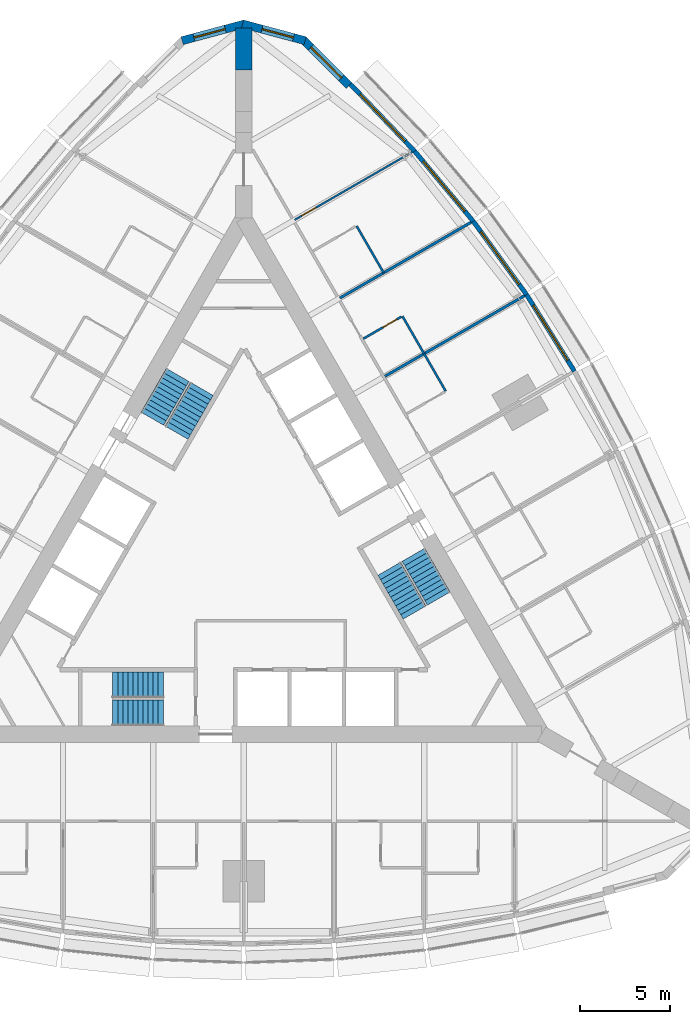
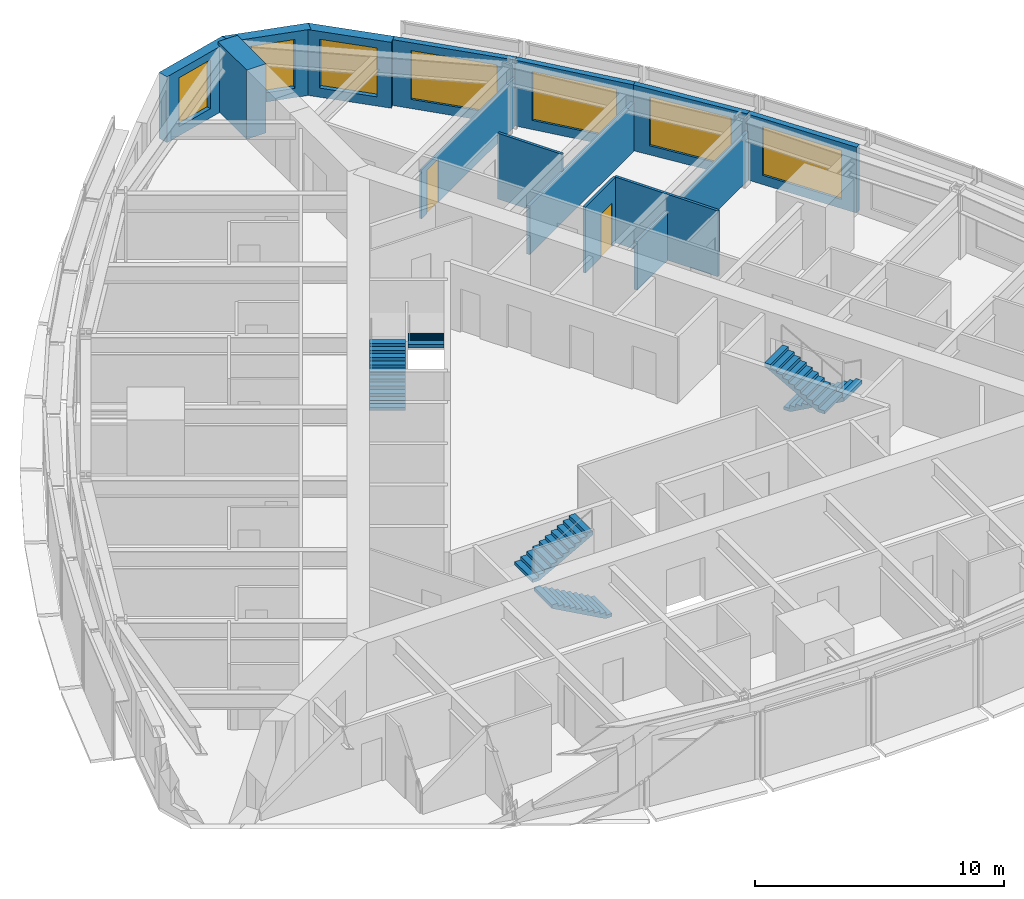
# One storey, part 13 of 14: 15 walls, 7 windows, 6 stair flights, 2 doors, 9 openings, 3 elements without a shape of their own.
"""IFC4 building model written with IfcOpenShell, lengths in metres."""

from ifc_helpers import new_model, si_unit, direction, frame, frame_2d, origin, place, context, subcontext, project, spatial, polyline, rectangle, outline, extrude, material, layer, layer_set, type_object, element, fill, aggregate, save


model = new_model("IFC4")

# Units and contexts
model_context = context("Model", 3, precision=1e-05, world=origin(), true_north=direction((0.0, 1.0)))
body_context = subcontext(model_context, "Body", "Model", "MODEL_VIEW")
ifc_project = project(units=[si_unit("LENGTHUNIT", "METRE"), si_unit("AREAUNIT", "SQUARE_METRE"), si_unit("VOLUMEUNIT", "CUBIC_METRE"), si_unit("PLANEANGLEUNIT", "RADIAN"), si_unit("MASSUNIT", "GRAM", prefix="KILO")], contexts=[model_context])

# Site, building, storey
site_placement = place(None, origin())
site = spatial("IfcSite", under=ifc_project, at=site_placement, CompositionType="ELEMENT")
building_placement = place(site_placement, origin())
building = spatial("IfcBuilding", under=site, at=building_placement, Name="Trikona Tower", CompositionType="ELEMENT")
storey_placement = place(building_placement, frame((0.0, 0.0, 141.89990234375)))
storey = spatial("IfcBuildingStorey", under=building, at=storey_placement, Name="L37", CompositionType="ELEMENT", Elevation=141.89990234375)

# Walls
ifc_material_1 = material(Name="Metal stud and cement board", Category="gypsum")
ifc_layer_1 = layer(ifc_material_1, 0.1201171875)
ifc_layer_set_1 = layer_set([ifc_layer_1], Name="Bathroom wall 120")
wall_type_1 = type_object("IfcWallType", Name="Bathroom wall 120", PredefinedType="PLUMBINGWALL", material=ifc_layer_set_1)
for number, where, z_axis, x_axis, name in (
    (1, (11.193603515625, 9.46484375, 0.0), (0.0, 0.0, 1.0), (-0.500077600433, 0.865980596518, 0.0), "Bathroom wall 3708"),
    (2, (9.993408203125, 11.543212890625, 0.0), (0.0, 0.0, 1.0), (-0.500001309137, 0.866024647952, 0.0), "Bathroom wall 3709"),
):
    element("IfcWall", number, at=place(storey_placement, frame(where, z_axis=z_axis, x_axis=x_axis)), inside=storey, type_object=wall_type_1, Name=name, PredefinedType="PLUMBINGWALL", context=body_context, shape_type="SweptSolid", body=[
        extrude(rectangle(XDim=2.39990234375, YDim=0.1201171875, at=frame_2d((1.199951171875, 0.0))), origin(), (0.0, 0.0, 1.0), 3.235107421875),
    ])

# Wall, opening, door
wall_1_placement = place(storey_placement, frame((6.62841796875, 12.37158203125, 0.0), z_axis=(0.0, 0.0, 1.0), x_axis=(0.866005645448, 0.500034220881, 0.0)))
wall_1 = element("IfcWall", 3, at=wall_1_placement, inside=storey, type_object=wall_type_1, Name="Bathroom wall 3709", PredefinedType="PLUMBINGWALL", context=body_context, shape_type="SweptSolid", body=[
    extrude(rectangle(XDim=2.440185546875, YDim=0.1201171875, at=frame_2d((1.22021484375, 0.0))), origin(), (0.0, 0.0, 1.0), 3.235107421875),
])
opening_1_placement = place(wall_1_placement, frame((1.25, 0.0, 0.0)))
opening_1 = element("IfcOpeningElement", 4, at=opening_1_placement, cuts=wall_1, Name="Opening D2", PredefinedType="OPENING", context=body_context, shape_type="SweptSolid", body=[
    extrude(rectangle(XDim=0.89990234375, YDim=2.1298828125, at=frame_2d((0.449951171875, 1.06494140625))), frame((0.0, 0.070068359375, 0.0), z_axis=(0.0, -1.0, 0.0), x_axis=(1.0, 0.0, 0.0)), (0.0, 0.0, 1.0), 0.14013671875),
])
ifc_material_2 = material(Name="Steel door frame with solid-core timber leaf", Category="steel")
door_type_1 = type_object("IfcDoorType", Name="Bathroom door 900x2130", OperationType="SLIDING_TO_LEFT", PredefinedType="DOOR", material=ifc_material_2)
door_1_placement = place(opening_1_placement, origin())
door_1 = element("IfcDoor", 5, at=door_1_placement, inside=storey, type_object=door_type_1, Name="Bathroom door 3709", OperationType="SLIDING_TO_LEFT", OverallHeight=2.1298828125, OverallWidth=0.89990234375, PredefinedType="DOOR", context=body_context, shape_type="SweptSolid", body=[
    extrude(rectangle(XDim=0.89990234375, YDim=2.1298828125, at=frame_2d((0.449951171875, 1.06494140625))), frame((0.0, 0.02490234375, 0.0), z_axis=(0.0, -1.0, 0.0), x_axis=(1.0, 0.0, 0.0)), (0.0, 0.0, 1.0), 0.050048828125),
])
fill(opening_1, door_1)

# Wall
wall_2_placement = place(storey_placement, frame((7.75341796875, 16.0234375, 0.0), z_axis=(0.0, 0.0, 1.0), x_axis=(-0.499990139034, 0.866031096941, 0.0)))
element("IfcWall", 6, at=wall_2_placement, inside=storey, type_object=wall_type_1, Name="Bathroom wall 3710.1", PredefinedType="PLUMBINGWALL", context=body_context, shape_type="SweptSolid", body=[
    extrude(rectangle(XDim=3.0, YDim=0.1201171875, at=frame_2d((1.5, 0.0))), origin(), (0.0, 0.0, 1.0), 3.235107421875),
])

# Wall, opening, window
ifc_material_3 = material(Name="Brick-faced precast concrete", Category="masonry")
ifc_layer_2 = layer(ifc_material_3, 0.449951171875)
ifc_layer_set_2 = layer_set([ifc_layer_2], Name="Brick-faced corner wall 450")
wall_type_2 = type_object("IfcWallType", Name="Brick-faced corner wall 450", PredefinedType="SOLIDWALL", material=ifc_layer_set_2)
wall_3_placement = place(storey_placement, frame((5.8408203125, 26.39892578125, 0.0), z_axis=(0.0, 0.0, 1.0), x_axis=(-0.707106781187, 0.707106781187, 0.0)))
wall_3 = element("IfcWall", 7, at=wall_3_placement, inside=storey, type_object=wall_type_2, Name="External wall L37-20", PredefinedType="SOLIDWALL", context=body_context, shape_type="SweptSolid", body=[
    extrude(rectangle(XDim=3.586181640625, YDim=0.449951171875, at=frame_2d((1.79296875, 0.0))), origin(), (0.0, 0.0, 1.0), 3.235107421875),
])
opening_2_placement = place(wall_3_placement, frame((0.59326171875, 0.0, 0.449951171875)))
opening_2 = element("IfcOpeningElement", 8, at=opening_2_placement, cuts=wall_3, Name="Opening W2424", PredefinedType="OPENING", context=body_context, shape_type="SweptSolid", body=[
    extrude(rectangle(XDim=2.39990234375, YDim=2.39990234375, at=frame_2d((1.199951171875, 1.199951171875))), frame((0.0, 0.23486328125, 0.0), z_axis=(0.0, -1.0, 0.0), x_axis=(1.0, 0.0, 0.0)), (0.0, 0.0, 1.0), 0.469970703125),
])
ifc_material_4 = material(Name="Aluminium-framed double glazing", Category="aluminium")
window_type_1 = type_object("IfcWindowType", Name="Window 2400x2400", PartitioningType="SINGLE_PANEL", PredefinedType="WINDOW", material=ifc_material_4)
window_1_placement = place(opening_2_placement, origin())
window_1 = element("IfcWindow", 9, at=window_1_placement, inside=storey, type_object=window_type_1, Name="Window 3710", OverallHeight=2.39990234375, OverallWidth=2.39990234375, PartitioningType="SINGLE_PANEL", PredefinedType="WINDOW", context=body_context, shape_type="SweptSolid", body=[
    extrude(rectangle(XDim=2.39990234375, YDim=2.39990234375, at=frame_2d((1.199951171875, 1.199951171875))), frame((0.0, 0.030029296875, 0.0), z_axis=(0.0, -1.0, 0.0), x_axis=(1.0, 0.0, 0.0)), (0.0, 0.0, 1.0), 0.06005859375),
])
fill(opening_2, window_1)

wall_4_placement = place(storey_placement, frame((3.406005859375, 28.876708984375, 0.0), z_axis=(0.0, 0.0, 1.0), x_axis=(-0.965924653531, 0.258823421857, 0.0)))
wall_4 = element("IfcWall", 10, at=wall_4_placement, inside=storey, type_object=wall_type_2, Name="External wall L37-21", PredefinedType="SOLIDWALL", context=body_context, shape_type="SweptSolid", body=[
    extrude(outline(polyline([(3.58642578125, 0.22509765625), (3.526611328125, 0.22509765625), (3.035400390625, 0.09326171875), (3.0, 0.22509765625), (0.0, 0.22509765625), (0.0, -0.22509765625), (3.58642578125, -0.22509765625), (3.58642578125, 0.22509765625)])), origin(), (0.0, 0.0, 1.0), 3.235107421875),
])
opening_3_placement = place(wall_4_placement, frame((0.6748046875, 0.0, 0.449951171875)))
opening_3 = element("IfcOpeningElement", 11, at=opening_3_placement, cuts=wall_4, Name="Opening W1824", PredefinedType="OPENING", context=body_context, shape_type="SweptSolid", body=[
    extrude(rectangle(XDim=1.800048828125, YDim=2.39990234375, at=frame_2d((0.89990234375, 1.199951171875))), frame((0.0, 0.23486328125, 0.0), z_axis=(0.0, -1.0, 0.0), x_axis=(1.0, 0.0, 0.0)), (0.0, 0.0, 1.0), 0.469970703125),
])
ifc_material_5 = material(Name="Aluminium-framed double glazing", Category="aluminium")
window_type_2 = type_object("IfcWindowType", Name="Window 1800x2400", PartitioningType="SINGLE_PANEL", PredefinedType="WINDOW", material=ifc_material_5)
window_2_placement = place(opening_3_placement, origin())
window_2 = element("IfcWindow", 12, at=window_2_placement, inside=storey, type_object=window_type_2, Name="Window 3710", OverallHeight=2.39990234375, OverallWidth=1.800048828125, PartitioningType="SINGLE_PANEL", PredefinedType="WINDOW", context=body_context, shape_type="SweptSolid", body=[
    extrude(rectangle(XDim=1.800048828125, YDim=2.39990234375, at=frame_2d((0.89990234375, 1.199951171875))), frame((0.0, 0.030029296875, 0.0), z_axis=(0.0, -1.0, 0.0), x_axis=(1.0, 0.0, 0.0)), (0.0, 0.0, 1.0), 0.06005859375),
])
fill(opening_3, window_2)

wall_5_placement = place(storey_placement, frame((0.05810546875, 29.804931640625, 0.0), z_axis=(0.0, 0.0, 1.0), x_axis=(-0.965924653531, -0.258823421857, 0.0)))
wall_5 = element("IfcWall", 13, at=wall_5_placement, inside=storey, type_object=wall_type_2, Name="External wall L37-22", PredefinedType="SOLIDWALL", context=body_context, shape_type="SweptSolid", body=[
    extrude(outline(polyline([(3.58642578125, 0.22509765625), (0.58642578125, 0.22509765625), (0.551025390625, 0.09326171875), (0.0595703125, 0.22509765625), (0.0, 0.22509765625), (0.0, -0.22509765625), (3.58642578125, -0.22509765625), (3.58642578125, 0.22509765625)])), origin(), (0.0, 0.0, 1.0), 3.235107421875),
])
opening_4_placement = place(wall_5_placement, frame((1.111328125, 0.0, 0.449951171875)))
opening_4 = element("IfcOpeningElement", 14, at=opening_4_placement, cuts=wall_5, Name="Opening W1824", PredefinedType="OPENING", context=body_context, shape_type="SweptSolid", body=[
    extrude(rectangle(XDim=1.800048828125, YDim=2.39990234375, at=frame_2d((0.89990234375, 1.199951171875))), frame((0.0, 0.23486328125, 0.0), z_axis=(0.0, -1.0, 0.0), x_axis=(1.0, 0.0, 0.0)), (0.0, 0.0, 1.0), 0.469970703125),
])
window_3_placement = place(opening_4_placement, origin())
window_3 = element("IfcWindow", 15, at=window_3_placement, inside=storey, type_object=window_type_2, Name="Window 3711", OverallHeight=2.39990234375, OverallWidth=1.800048828125, PartitioningType="SINGLE_PANEL", PredefinedType="WINDOW", context=body_context, shape_type="SweptSolid", body=[
    extrude(rectangle(XDim=1.800048828125, YDim=2.39990234375, at=frame_2d((0.89990234375, 1.199951171875))), frame((0.0, 0.030029296875, 0.0), z_axis=(0.0, -1.0, 0.0), x_axis=(1.0, 0.0, 0.0)), (0.0, 0.0, 1.0), 0.06005859375),
])
fill(opening_4, window_3)

# Wall
ifc_material_6 = material(Name="Concrete f'c 10000 psi", Category="concrete")
ifc_layer_3 = layer(ifc_material_6, 0.89990234375)
ifc_layer_set_3 = layer_set([ifc_layer_3], Name="Buttress wall 900")
wall_type_3 = type_object("IfcWallType", Name="Buttress wall 900", PredefinedType="SHEAR", material=ifc_layer_set_3)
wall_6_placement = place(storey_placement, frame((0.0, 27.2626953125, 0.0), z_axis=(0.0, 0.0, 1.0), x_axis=(0.0, 1.0, 0.0)))
element("IfcWall", 16, at=wall_6_placement, inside=storey, type_object=wall_type_3, Name="Buttress wall 2 part 4", PredefinedType="SHEAR", context=body_context, shape_type="SweptSolid", body=[
    extrude(rectangle(XDim=2.3095703125, YDim=0.89990234375, at=frame_2d((1.15478515625, 0.0))), origin(), (0.0, 0.0, 1.0), 3.400146484375),
])

# Wall, opening, window
ifc_material_7 = material(Name="Insulated precast concrete spandrel panel", Category="concrete")
ifc_layer_4 = layer(ifc_material_7, 0.25)
ifc_layer_set_4 = layer_set([ifc_layer_4], Name="Inner skin wall 250")
wall_type_4 = type_object("IfcWallType", Name="Inner skin wall 250", PredefinedType="STANDARD", material=ifc_layer_set_4)
wall_7_placement = place(storey_placement, frame((18.31884765625, 10.5712890625, 0.0), z_axis=(0.0, 0.0, 1.0), x_axis=(-0.529990167382, 0.84800378683, 0.0)))
wall_7 = element("IfcWall", 17, at=wall_7_placement, inside=storey, type_object=wall_type_4, Name="External wall L37-16", PredefinedType="STANDARD", context=body_context, shape_type="SweptSolid", body=[
    extrude(rectangle(XDim=5.003173828125, YDim=0.25, at=frame_2d((2.50146484375, 0.0))), origin(), (0.0, 0.0, 1.0), 3.235107421875),
])
opening_5_placement = place(wall_7_placement, frame((0.701416015625, 0.0, 0.449951171875)))
opening_5 = element("IfcOpeningElement", 18, at=opening_5_placement, cuts=wall_7, Name="Opening W3624", PredefinedType="OPENING", context=body_context, shape_type="SweptSolid", body=[
    extrude(rectangle(XDim=3.60009765625, YDim=2.39990234375, at=frame_2d((1.800048828125, 1.199951171875))), frame((0.0, 0.135009765625, 0.0), z_axis=(0.0, -1.0, 0.0), x_axis=(1.0, 0.0, 0.0)), (0.0, 0.0, 1.0), 0.27001953125),
])
ifc_material_8 = material(Name="Aluminium-framed double glazing", Category="aluminium")
window_type_3 = type_object("IfcWindowType", Name="Window 3600x2400", PartitioningType="SINGLE_PANEL", PredefinedType="WINDOW", material=ifc_material_8)
window_4_placement = place(opening_5_placement, origin())
window_4 = element("IfcWindow", 19, at=window_4_placement, inside=storey, type_object=window_type_3, Name="Window 3708", OverallHeight=2.39990234375, OverallWidth=3.60009765625, PartitioningType="SINGLE_PANEL", PredefinedType="WINDOW", context=body_context, shape_type="SweptSolid", body=[
    extrude(rectangle(XDim=3.60009765625, YDim=2.39990234375, at=frame_2d((1.800048828125, 1.199951171875))), frame((0.0, 0.030029296875, 0.0), z_axis=(0.0, -1.0, 0.0), x_axis=(1.0, 0.0, 0.0)), (0.0, 0.0, 1.0), 0.06005859375),
])
fill(opening_5, window_4)

wall_8_placement = place(storey_placement, frame((15.672119140625, 14.806640625, 0.0), z_axis=(0.0, 0.0, 1.0), x_axis=(-0.587669188412, 0.809101307001, 0.0)))
wall_8 = element("IfcWall", 20, at=wall_8_placement, inside=storey, type_object=wall_type_4, Name="External wall L37-17", PredefinedType="STANDARD", context=body_context, shape_type="SweptSolid", body=[
    extrude(rectangle(XDim=5.027587890625, YDim=0.25, at=frame_2d((2.513671875, 0.0))), origin(), (0.0, 0.0, 1.0), 3.235107421875),
])
opening_6_placement = place(wall_8_placement, frame((0.7138671875, 0.0, 0.449951171875)))
opening_6 = element("IfcOpeningElement", 21, at=opening_6_placement, cuts=wall_8, Name="Opening W3624", PredefinedType="OPENING", context=body_context, shape_type="SweptSolid", body=[
    extrude(rectangle(XDim=3.60009765625, YDim=2.39990234375, at=frame_2d((1.800048828125, 1.199951171875))), frame((0.0, 0.135009765625, 0.0), z_axis=(0.0, -1.0, 0.0), x_axis=(1.0, 0.0, 0.0)), (0.0, 0.0, 1.0), 0.27001953125),
])
window_5_placement = place(opening_6_placement, origin())
window_5 = element("IfcWindow", 22, at=window_5_placement, inside=storey, type_object=window_type_3, Name="Window 3709", OverallHeight=2.39990234375, OverallWidth=3.60009765625, PartitioningType="SINGLE_PANEL", PredefinedType="WINDOW", context=body_context, shape_type="SweptSolid", body=[
    extrude(rectangle(XDim=3.60009765625, YDim=2.39990234375, at=frame_2d((1.800048828125, 1.199951171875))), frame((0.0, 0.030029296875, 0.0), z_axis=(0.0, -1.0, 0.0), x_axis=(1.0, 0.0, 0.0)), (0.0, 0.0, 1.0), 0.06005859375),
])
fill(opening_6, window_5)

wall_9_placement = place(storey_placement, frame((12.722900390625, 18.86767578125, 0.0), z_axis=(0.0, 0.0, 1.0), x_axis=(-0.641810386606, 0.766863369607, 0.0)))
wall_9 = element("IfcWall", 23, at=wall_9_placement, inside=storey, type_object=wall_type_4, Name="External wall L37-18", PredefinedType="STANDARD", context=body_context, shape_type="SweptSolid", body=[
    extrude(rectangle(XDim=5.075927734375, YDim=0.25, at=frame_2d((2.5380859375, 0.0))), origin(), (0.0, 0.0, 1.0), 3.235107421875),
])
opening_7_placement = place(wall_9_placement, frame((0.738037109375, 0.0, 0.449951171875)))
opening_7 = element("IfcOpeningElement", 24, at=opening_7_placement, cuts=wall_9, Name="Opening W3624", PredefinedType="OPENING", context=body_context, shape_type="SweptSolid", body=[
    extrude(rectangle(XDim=3.60009765625, YDim=2.39990234375, at=frame_2d((1.800048828125, 1.199951171875))), frame((0.0, 0.135009765625, 0.0), z_axis=(0.0, -1.0, 0.0), x_axis=(1.0, 0.0, 0.0)), (0.0, 0.0, 1.0), 0.27001953125),
])
window_6_placement = place(opening_7_placement, origin())
window_6 = element("IfcWindow", 25, at=window_6_placement, inside=storey, type_object=window_type_3, Name="Window 3710.1", OverallHeight=2.39990234375, OverallWidth=3.60009765625, PartitioningType="SINGLE_PANEL", PredefinedType="WINDOW", context=body_context, shape_type="SweptSolid", body=[
    extrude(rectangle(XDim=3.60009765625, YDim=2.39990234375, at=frame_2d((1.800048828125, 1.199951171875))), frame((0.0, 0.030029296875, 0.0), z_axis=(0.0, -1.0, 0.0), x_axis=(1.0, 0.0, 0.0)), (0.0, 0.0, 1.0), 0.06005859375),
])
fill(opening_7, window_6)

wall_10_placement = place(storey_placement, frame((9.470703125, 22.75390625, 0.0), z_axis=(0.0, 0.0, 1.0), x_axis=(-0.691719937936, 0.722165858693, 0.0)))
wall_10 = element("IfcWall", 26, at=wall_10_placement, inside=storey, type_object=wall_type_4, Name="External wall L37-19", PredefinedType="STANDARD", context=body_context, shape_type="SweptSolid", body=[
    extrude(rectangle(XDim=5.148193359375, YDim=0.25, at=frame_2d((2.57421875, 0.0))), origin(), (0.0, 0.0, 1.0), 3.235107421875),
])
opening_8_placement = place(wall_10_placement, frame((0.77392578125, 0.0, 0.449951171875)))
opening_8 = element("IfcOpeningElement", 27, at=opening_8_placement, cuts=wall_10, Name="Opening W3624", PredefinedType="OPENING", context=body_context, shape_type="SweptSolid", body=[
    extrude(rectangle(XDim=3.60009765625, YDim=2.39990234375, at=frame_2d((1.800048828125, 1.199951171875))), frame((0.0, 0.135009765625, 0.0), z_axis=(0.0, -1.0, 0.0), x_axis=(1.0, 0.0, 0.0)), (0.0, 0.0, 1.0), 0.27001953125),
])
window_7_placement = place(opening_8_placement, origin())
window_7 = element("IfcWindow", 28, at=window_7_placement, inside=storey, type_object=window_type_3, Name="Window 3710", OverallHeight=2.39990234375, OverallWidth=3.60009765625, PartitioningType="SINGLE_PANEL", PredefinedType="WINDOW", context=body_context, shape_type="SweptSolid", body=[
    extrude(rectangle(XDim=3.60009765625, YDim=2.39990234375, at=frame_2d((1.800048828125, 1.199951171875))), frame((0.0, 0.030029296875, 0.0), z_axis=(0.0, -1.0, 0.0), x_axis=(1.0, 0.0, 0.0)), (0.0, 0.0, 1.0), 0.06005859375),
])
fill(opening_8, window_7)

# Walls
ifc_material_9 = material(Name="Metal stud and gypsum board, 1-hour acoustic", Category="gypsum")
ifc_layer_5 = layer(ifc_material_9, 0.14990234375)
ifc_layer_set_5 = layer_set([ifc_layer_5], Name="Party wall 150")
wall_type_5 = type_object("IfcWallType", Name="Party wall 150", PredefinedType="PARTITIONING", material=ifc_layer_set_5)
wall_11_placement = place(storey_placement, frame((7.82861328125, 10.293212890625, 0.0), z_axis=(0.0, 0.0, 1.0), x_axis=(0.866027015393, 0.499997208602, 0.0)))
element("IfcWall", 29, at=wall_11_placement, inside=storey, type_object=wall_type_5, Name="Partition L37 F2 u5", PredefinedType="PARTITIONING", context=body_context, shape_type="SweptSolid", body=[
    extrude(rectangle(XDim=8.92236328125, YDim=0.14990234375, at=frame_2d((4.461181640625, 0.0))), origin(), (0.0, 0.0, 1.0), 2.389404296875),
])
wall_12_placement = place(storey_placement, frame((5.32861328125, 14.623291015625, 0.0), z_axis=(0.0, 0.0, 1.0), x_axis=(0.866011723728, 0.500023693804, 0.0)))
element("IfcWall", 30, at=wall_12_placement, inside=storey, type_object=wall_type_5, Name="Partition L37 F2 u10", PredefinedType="PARTITIONING", context=body_context, shape_type="SweptSolid", body=[
    extrude(rectangle(XDim=8.39501953125, YDim=0.14990234375, at=frame_2d((4.197509765625, 0.0))), origin(), (0.0, 0.0, 1.0), 2.389404296875),
])

# Wall, opening, door
ifc_material_10 = material(Name="Metal stud and gypsum board, acoustic", Category="gypsum")
ifc_layer_6 = layer(ifc_material_10, 0.10009765625)
ifc_layer_set_6 = layer_set([ifc_layer_6], Name="Suite partition 100")
wall_type_6 = type_object("IfcWallType", Name="Suite partition 100", PredefinedType="PARTITIONING", material=ifc_layer_set_6)
wall_13_placement = place(storey_placement, frame((2.82861328125, 18.95361328125, 0.0), z_axis=(0.0, 0.0, 1.0), x_axis=(0.866015739374, 0.500016738876, 0.0)))
wall_13 = element("IfcWall", 31, at=wall_13_placement, inside=storey, type_object=wall_type_6, Name="Suite partition L37 F2 u15", PredefinedType="PARTITIONING", context=body_context, shape_type="SweptSolid", body=[
    extrude(rectangle(XDim=7.516357421875, YDim=0.10009765625, at=frame_2d((3.75830078125, 0.0))), origin(), (0.0, 0.0, 1.0), 2.389404296875),
])
opening_9_placement = place(wall_13_placement, frame((0.449951171875, 0.0, 0.0)))
opening_9 = element("IfcOpeningElement", 32, at=opening_9_placement, cuts=wall_13, Name="Opening D13", PredefinedType="OPENING", context=body_context, shape_type="SweptSolid", body=[
    extrude(rectangle(XDim=0.89990234375, YDim=2.1298828125, at=frame_2d((0.449951171875, 1.06494140625))), frame((0.0, 0.06005859375, 0.0), z_axis=(0.0, -1.0, 0.0), x_axis=(1.0, 0.0, 0.0)), (0.0, 0.0, 1.0), 0.1201171875),
])
ifc_material_11 = material(Name="Steel door frame with solid-core timber leaf", Category="steel")
door_type_2 = type_object("IfcDoorType", Name="Suite door 900x2130", OperationType="SINGLE_SWING_LEFT", PredefinedType="DOOR", material=ifc_material_11)
door_2_placement = place(opening_9_placement, origin())
door_2 = element("IfcDoor", 33, at=door_2_placement, inside=storey, type_object=door_type_2, Name="Suite door 3710", OperationType="SINGLE_SWING_LEFT", OverallHeight=2.1298828125, OverallWidth=0.89990234375, PredefinedType="DOOR", context=body_context, shape_type="SweptSolid", body=[
    extrude(rectangle(XDim=0.89990234375, YDim=2.1298828125, at=frame_2d((0.449951171875, 1.06494140625))), frame((0.0, 0.02490234375, 0.0), z_axis=(0.0, -1.0, 0.0), x_axis=(1.0, 0.0, 0.0)), (0.0, 0.0, 1.0), 0.050048828125),
])
fill(opening_9, door_2)

# Stair, stair flights
ifc_material_12 = material(Name="Concrete f'c 5000 psi", Category="concrete")
stair_type = type_object("IfcStairType", Name="Core stair", PredefinedType="HALF_TURN_STAIR", material=ifc_material_12)
stair_1_placement = place(storey_placement, origin())
stair_1 = element("IfcStair", 34, at=stair_1_placement, inside=storey, type_object=stair_type, Name="Stair A L37", PredefinedType="HALF_TURN_STAIR")
ifc_material_13 = material(Name="Concrete f'c 5000 psi", Category="concrete")
stair_flight_type = type_object("IfcStairFlightType", Name="Core stair flight 1450", PredefinedType="STRAIGHT", material=ifc_material_13)
stair_flight_1_placement = place(storey_placement, frame((-4.449951171875, -8.351318359375, 0.0), z_axis=(0.0, 0.0, 1.0), x_axis=(-1.0, 0.0, 0.0)))
stair_flight_1 = element("IfcStairFlight", 35, at=stair_flight_1_placement, type_object=stair_flight_type, Name="ST-A flight 1", NumberOfRisers=11, NumberOfTreads=10, PredefinedType="STRAIGHT", RiserHeight=0.154545, TreadLength=0.28, context=body_context, shape_type="SweptSolid", body=[
    extrude(outline(polyline([(0.0, 0.0), (0.0, 0.154541015625), (0.280029296875, 0.154541015625), (0.280029296875, 0.30908203125), (0.56005859375, 0.30908203125), (0.56005859375, 0.463623046875), (0.840087890625, 0.463623046875), (0.840087890625, 0.6181640625), (1.1201171875, 0.6181640625), (1.1201171875, 0.772705078125), (1.39990234375, 0.772705078125), (1.39990234375, 0.92724609375), (1.679931640625, 0.92724609375), (1.679931640625, 1.081787109375), (1.9599609375, 1.081787109375), (1.9599609375, 1.236328125), (2.239990234375, 1.236328125), (2.239990234375, 1.390869140625), (2.52001953125, 1.390869140625), (2.52001953125, 1.54541015625), (2.800048828125, 1.54541015625), (2.800048828125, 1.699951171875), (2.800048828125, 1.374267578125), (0.310302734375, 0.0), (0.0, 0.0)])), frame((0.0, 0.72509765625, 0.0), z_axis=(0.0, -1.0, 0.0), x_axis=(1.0, 0.0, 0.0)), (0.0, 0.0, 1.0), 1.449951171875),
])
stair_flight_2_placement = place(storey_placement, frame((-7.25, -6.80126953125, 1.7001953125), z_axis=(0.0, 0.0, 1.0), x_axis=(1.0, 0.0, 0.0)))
stair_flight_2 = element("IfcStairFlight", 36, at=stair_flight_2_placement, type_object=stair_flight_type, Name="ST-A flight 2", NumberOfRisers=11, NumberOfTreads=10, PredefinedType="STRAIGHT", RiserHeight=0.154545, TreadLength=0.28, context=body_context, shape_type="SweptSolid", body=[
    extrude(outline(polyline([(0.0, 0.0), (0.0, 0.154541015625), (0.280029296875, 0.154541015625), (0.280029296875, 0.30908203125), (0.56005859375, 0.30908203125), (0.56005859375, 0.463623046875), (0.840087890625, 0.463623046875), (0.840087890625, 0.6181640625), (1.1201171875, 0.6181640625), (1.1201171875, 0.772705078125), (1.39990234375, 0.772705078125), (1.39990234375, 0.92724609375), (1.679931640625, 0.92724609375), (1.679931640625, 1.081787109375), (1.9599609375, 1.081787109375), (1.9599609375, 1.236328125), (2.239990234375, 1.236328125), (2.239990234375, 1.390869140625), (2.52001953125, 1.390869140625), (2.52001953125, 1.54541015625), (2.800048828125, 1.54541015625), (2.800048828125, 1.699951171875), (2.800048828125, 1.374267578125), (0.310302734375, 0.0), (0.0, 0.0)])), frame((0.0, 0.72509765625, 0.0), z_axis=(0.0, -1.0, 0.0), x_axis=(1.0, 0.0, 0.0)), (0.0, 0.0, 1.0), 1.449951171875),
])
aggregate(stair_1, [stair_flight_1, stair_flight_2])

stair_2_placement = place(storey_placement, origin())
stair_2 = element("IfcStair", 37, at=stair_2_placement, inside=storey, type_object=stair_type, Name="Stair B L37", PredefinedType="HALF_TURN_STAIR")
stair_flight_3_placement = place(storey_placement, frame((9.407470703125, 0.408447265625, 0.0), z_axis=(0.0, 0.0, 1.0), x_axis=(0.5, -0.866025403784, 0.0)))
stair_flight_3 = element("IfcStairFlight", 38, at=stair_flight_3_placement, type_object=stair_flight_type, Name="ST-B flight 1", NumberOfRisers=11, NumberOfTreads=10, PredefinedType="STRAIGHT", RiserHeight=0.154545, TreadLength=0.28, context=body_context, shape_type="SweptSolid", body=[
    extrude(outline(polyline([(0.0, 0.0), (0.0, 0.154541015625), (0.280029296875, 0.154541015625), (0.280029296875, 0.30908203125), (0.56005859375, 0.30908203125), (0.56005859375, 0.463623046875), (0.840087890625, 0.463623046875), (0.840087890625, 0.6181640625), (1.1201171875, 0.6181640625), (1.1201171875, 0.772705078125), (1.39990234375, 0.772705078125), (1.39990234375, 0.92724609375), (1.679931640625, 0.92724609375), (1.679931640625, 1.081787109375), (1.9599609375, 1.081787109375), (1.9599609375, 1.236328125), (2.239990234375, 1.236328125), (2.239990234375, 1.390869140625), (2.52001953125, 1.390869140625), (2.52001953125, 1.54541015625), (2.800048828125, 1.54541015625), (2.800048828125, 1.699951171875), (2.800048828125, 1.374267578125), (0.310302734375, 0.0), (0.0, 0.0)])), frame((0.0, 0.72509765625, 0.0), z_axis=(0.0, -1.0, 0.0), x_axis=(1.0, 0.0, 0.0)), (0.0, 0.0, 1.0), 1.449951171875),
])
stair_flight_4_placement = place(storey_placement, frame((9.465087890625, -2.79150390625, 1.7001953125), z_axis=(0.0, 0.0, 1.0), x_axis=(-0.5, 0.866025403784, 0.0)))
stair_flight_4 = element("IfcStairFlight", 39, at=stair_flight_4_placement, type_object=stair_flight_type, Name="ST-B flight 2", NumberOfRisers=11, NumberOfTreads=10, PredefinedType="STRAIGHT", RiserHeight=0.154545, TreadLength=0.28, context=body_context, shape_type="SweptSolid", body=[
    extrude(outline(polyline([(0.0, 0.0), (0.0, 0.154541015625), (0.280029296875, 0.154541015625), (0.280029296875, 0.30908203125), (0.56005859375, 0.30908203125), (0.56005859375, 0.463623046875), (0.840087890625, 0.463623046875), (0.840087890625, 0.6181640625), (1.1201171875, 0.6181640625), (1.1201171875, 0.772705078125), (1.39990234375, 0.772705078125), (1.39990234375, 0.92724609375), (1.679931640625, 0.92724609375), (1.679931640625, 1.081787109375), (1.9599609375, 1.081787109375), (1.9599609375, 1.236328125), (2.239990234375, 1.236328125), (2.239990234375, 1.390869140625), (2.52001953125, 1.390869140625), (2.52001953125, 1.54541015625), (2.800048828125, 1.54541015625), (2.800048828125, 1.699951171875), (2.800048828125, 1.374267578125), (0.310302734375, 0.0), (0.0, 0.0)])), frame((0.0, 0.72509765625, 0.0), z_axis=(0.0, -1.0, 0.0), x_axis=(1.0, 0.0, 0.0)), (0.0, 0.0, 1.0), 1.449951171875),
])
aggregate(stair_2, [stair_flight_3, stair_flight_4])

stair_3_placement = place(storey_placement, origin())
stair_3 = element("IfcStair", 40, at=stair_3_placement, inside=storey, type_object=stair_type, Name="Stair C L37", PredefinedType="HALF_TURN_STAIR")
stair_flight_5_placement = place(storey_placement, frame((-5.057373046875, 7.94287109375, 0.0), z_axis=(0.0, 0.0, 1.0), x_axis=(0.5, 0.866025403784, 0.0)))
stair_flight_5 = element("IfcStairFlight", 41, at=stair_flight_5_placement, type_object=stair_flight_type, Name="ST-C flight 1", NumberOfRisers=11, NumberOfTreads=10, PredefinedType="STRAIGHT", RiserHeight=0.154545, TreadLength=0.28, context=body_context, shape_type="SweptSolid", body=[
    extrude(outline(polyline([(0.0, 0.0), (0.0, 0.154541015625), (0.280029296875, 0.154541015625), (0.280029296875, 0.30908203125), (0.56005859375, 0.30908203125), (0.56005859375, 0.463623046875), (0.840087890625, 0.463623046875), (0.840087890625, 0.6181640625), (1.1201171875, 0.6181640625), (1.1201171875, 0.772705078125), (1.39990234375, 0.772705078125), (1.39990234375, 0.92724609375), (1.679931640625, 0.92724609375), (1.679931640625, 1.081787109375), (1.9599609375, 1.081787109375), (1.9599609375, 1.236328125), (2.239990234375, 1.236328125), (2.239990234375, 1.390869140625), (2.52001953125, 1.390869140625), (2.52001953125, 1.54541015625), (2.800048828125, 1.54541015625), (2.800048828125, 1.699951171875), (2.800048828125, 1.374267578125), (0.310302734375, 0.0), (0.0, 0.0)])), frame((0.0, 0.72509765625, 0.0), z_axis=(0.0, -1.0, 0.0), x_axis=(1.0, 0.0, 0.0)), (0.0, 0.0, 1.0), 1.449951171875),
])
stair_flight_6_placement = place(storey_placement, frame((-2.315185546875, 9.5927734375, 1.7001953125), z_axis=(0.0, 0.0, 1.0), x_axis=(-0.5, -0.866025403784, 0.0)))
stair_flight_6 = element("IfcStairFlight", 42, at=stair_flight_6_placement, type_object=stair_flight_type, Name="ST-C flight 2", NumberOfRisers=11, NumberOfTreads=10, PredefinedType="STRAIGHT", RiserHeight=0.154545, TreadLength=0.28, context=body_context, shape_type="SweptSolid", body=[
    extrude(outline(polyline([(0.0, 0.0), (0.0, 0.154541015625), (0.280029296875, 0.154541015625), (0.280029296875, 0.30908203125), (0.56005859375, 0.30908203125), (0.56005859375, 0.463623046875), (0.840087890625, 0.463623046875), (0.840087890625, 0.6181640625), (1.1201171875, 0.6181640625), (1.1201171875, 0.772705078125), (1.39990234375, 0.772705078125), (1.39990234375, 0.92724609375), (1.679931640625, 0.92724609375), (1.679931640625, 1.081787109375), (1.9599609375, 1.081787109375), (1.9599609375, 1.236328125), (2.239990234375, 1.236328125), (2.239990234375, 1.390869140625), (2.52001953125, 1.390869140625), (2.52001953125, 1.54541015625), (2.800048828125, 1.54541015625), (2.800048828125, 1.699951171875), (2.800048828125, 1.374267578125), (0.310302734375, 0.0), (0.0, 0.0)])), frame((0.0, 0.72509765625, 0.0), z_axis=(0.0, -1.0, 0.0), x_axis=(1.0, 0.0, 0.0)), (0.0, 0.0, 1.0), 1.449951171875),
])
aggregate(stair_3, [stair_flight_5, stair_flight_6])

save(model, "model.ifc")
